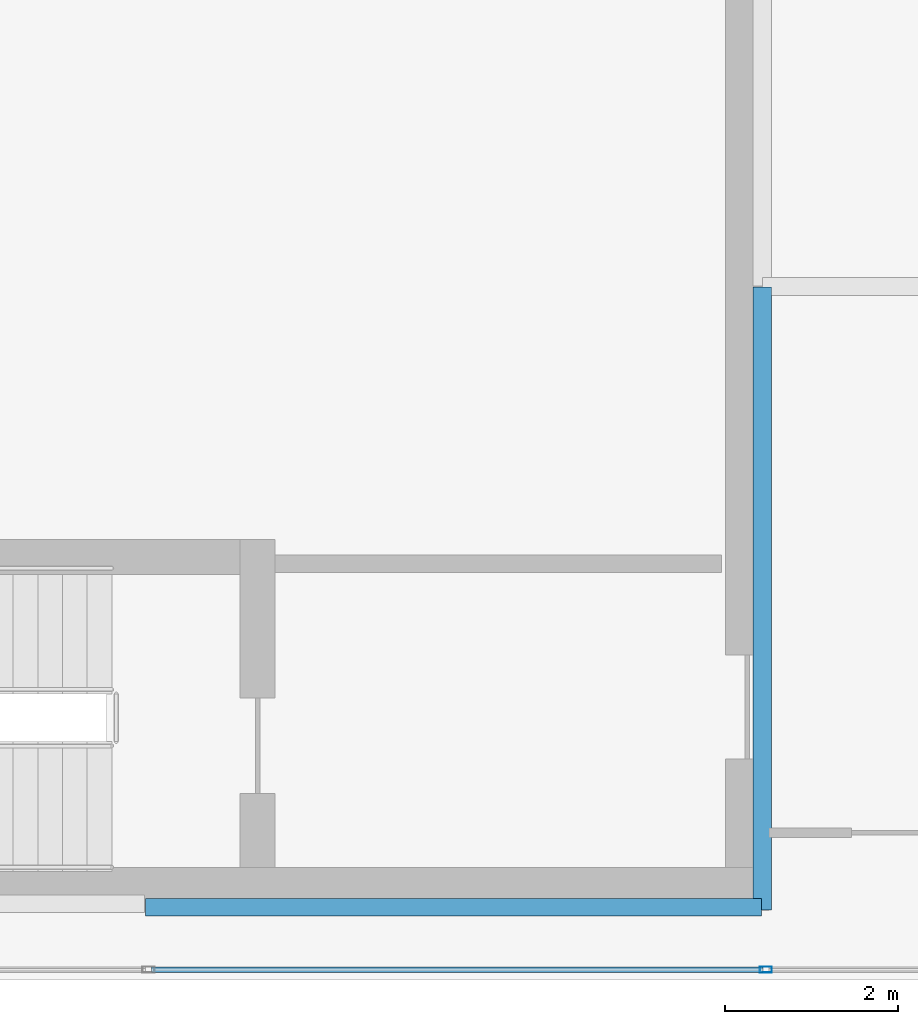
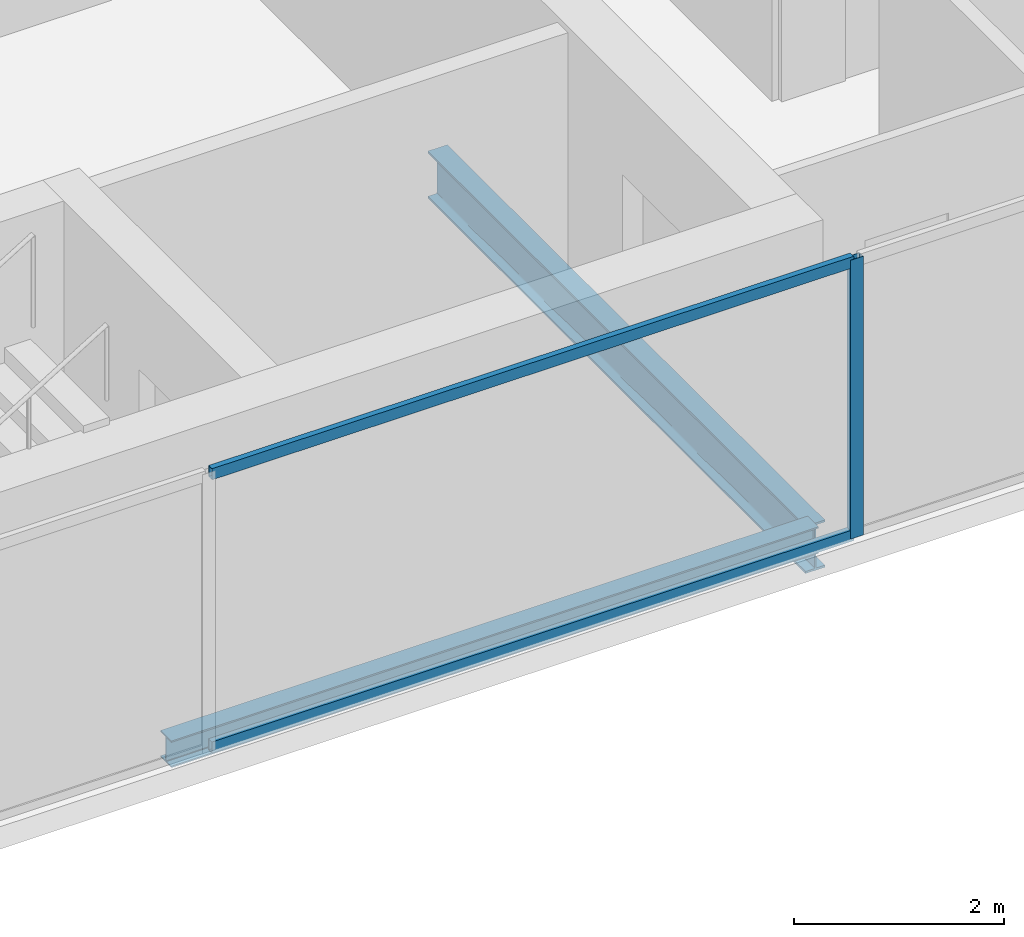
# One storey, part 3 of 23: 3 members, 2 beams, 1 element without a shape of its own.
"""IFC4 building model written with IfcOpenShell, lengths in metres."""

from ifc_helpers import new_model, si_unit, direction, frame, origin, origin_2d, place, context, subcontext, project, spatial, hollow_rectangle, i_section, extrude, material, material_profile, profile_set, type_object, element, aggregate, save


model = new_model("IFC4")

# Units and contexts
model_context = context("Model", 3, precision=1e-05, world=origin(), true_north=direction((0.0, 1.0)))
body_context = subcontext(model_context, "Body", "Model", "MODEL_VIEW")
ifc_project = project(units=[si_unit("LENGTHUNIT", "METRE"), si_unit("AREAUNIT", "SQUARE_METRE"), si_unit("VOLUMEUNIT", "CUBIC_METRE"), si_unit("PLANEANGLEUNIT", "RADIAN"), si_unit("MASSUNIT", "GRAM", prefix="KILO")], contexts=[model_context])

# Site, building, storey
site_placement = place(None, origin())
site = spatial("IfcSite", under=ifc_project, at=site_placement, CompositionType="ELEMENT")
building_placement = place(site_placement, origin())
building = spatial("IfcBuilding", under=site, at=building_placement, Name="Cobrela Telecom Tower", CompositionType="ELEMENT")
storey_placement = place(building_placement, frame((0.0, 0.0, 272.64990234375)))
storey = spatial("IfcBuildingStorey", under=building, at=storey_placement, Name="L71", CompositionType="ELEMENT", Elevation=272.64990234375)

# Beams
ifc_material_1 = material(Name="Steel ASTM A992 Grade 50", Category="steel")
ifc_material_profile_1 = material_profile(ifc_material_1, i_section(OverallWidth=0.212890625, OverallDepth=0.549072265625, WebThickness=0.0146484375, FlangeThickness=0.023681640625, FilletRadius=0.013916015625, at=origin_2d()), Name="W21X93")
ifc_profile_set_1 = profile_set([ifc_material_profile_1], Name="Steel ASTM A992 Grade 50")
beam_type_1 = type_object("IfcBeamType", Name="BM-GIRD-08", PredefinedType="USERDEFINED", material=ifc_profile_set_1)
beam_1_placement = place(storey_placement, frame((14.320068359375, 7.205078125, -0.534423828125), z_axis=(0.0, 1.0, 0.0), x_axis=(-1.0, 0.0, 0.0)))
element("IfcBeam", 1, at=beam_1_placement, inside=storey, type_object=beam_type_1, Name="L71 Primary Girder Y21", ObjectType="GIRDER", PredefinedType="USERDEFINED", context=body_context, shape_type="SweptSolid", body=[
    extrude(i_section(OverallWidth=0.212890625, OverallDepth=0.549072265625, WebThickness=0.0146484375, FlangeThickness=0.023681640625, FilletRadius=0.013916015625, at=origin_2d()), origin(), (0.0, 0.0, 1.0), 7.18994140625),
])
ifc_material_profile_2 = material_profile(ifc_material_1, i_section(OverallWidth=0.205078125, OverallDepth=0.31005859375, WebThickness=0.009521484375, FlangeThickness=0.016357421875, FilletRadius=0.010986328125, at=origin_2d()), Name="W12X50")
ifc_profile_set_2 = profile_set([ifc_material_profile_2], Name="Steel ASTM A992 Grade 50")
beam_type_2 = type_object("IfcBeamType", Name="BM-SPAND-07", PredefinedType="SPANDREL", material=ifc_profile_set_2)
beam_2_placement = place(storey_placement, frame((7.205078125, 7.239990234375, -0.414794921875), z_axis=(1.0, 0.0, 0.0), x_axis=(0.0, 1.0, 0.0)))
element("IfcBeam", 2, at=beam_2_placement, inside=storey, type_object=beam_type_2, Name="L71 Perimeter Spandrel X02", PredefinedType="SPANDREL", context=body_context, shape_type="SweptSolid", body=[
    extrude(i_section(OverallWidth=0.205078125, OverallDepth=0.31005859375, WebThickness=0.009521484375, FlangeThickness=0.016357421875, FilletRadius=0.010986328125, at=origin_2d()), origin(), (0.0, 0.0, 1.0), 7.10986328125),
])

# Curtain wall, members
ifc_material_2 = material(Name="Anodized Bronze Aluminium 6063-T6", Category="aluminium")
curtain_wall_type = type_object("IfcCurtainWallType", Name="CW-SYS-OFF-HI", PredefinedType="USERDEFINED", material=ifc_material_2)
curtain_wall_placement = place(storey_placement, origin())
curtain_wall = element("IfcCurtainWall", 3, at=curtain_wall_placement, inside=storey, type_object=curtain_wall_type, Name="L71 Unitised Bronze Curtain Wall 15", ObjectType="UNITISED CURTAIN WALL", PredefinedType="USERDEFINED")
ifc_material_profile_3 = material_profile(ifc_material_2, hollow_rectangle(XDim=0.070068359375, YDim=0.139892578125, WallThickness=0.00390625, at=origin_2d()), Name="ALU 70x140x4")
ifc_profile_set_3 = profile_set([ifc_material_profile_3], Name="Anodized Bronze Aluminium 6063-T6")
member_type_1 = type_object("IfcMemberType", Name="CW-SYS-OFF-HI-MUL", PredefinedType="MULLION", material=ifc_profile_set_3)
member_1_placement = place(storey_placement, frame((14.36328125, 6.52001953125, 0.0), z_axis=(0.0, 0.0, 1.0), x_axis=(0.0, -1.0, 0.0)))
member_1 = element("IfcMember", 4, at=member_1_placement, type_object=member_type_1, Name="CW-OFF-HI mullion 5", PredefinedType="MULLION", context=body_context, shape_type="SweptSolid", body=[
    extrude(hollow_rectangle(XDim=0.070068359375, YDim=0.139892578125, WallThickness=0.00390625, at=origin_2d()), origin(), (0.0, 0.0, 1.0), 3.239990234375),
])
ifc_material_profile_4 = material_profile(ifc_material_2, hollow_rectangle(XDim=0.06494140625, YDim=0.1298828125, WallThickness=0.00390625, at=origin_2d()), Name="ALU 65x130x4")
ifc_profile_set_4 = profile_set([ifc_material_profile_4], Name="Anodized Bronze Aluminium 6063-T6")
member_type_2 = type_object("IfcMemberType", Name="CW-SYS-OFF-HI-TRN", PredefinedType="USERDEFINED", material=ifc_profile_set_4)
member_2_placement = place(storey_placement, frame((14.328369140625, 6.52001953125, 0.03271484375), z_axis=(-1.0, 0.0, 0.0), x_axis=(0.0, -1.0, 0.0)))
member_2 = element("IfcMember", 5, at=member_2_placement, type_object=member_type_2, Name="CW-OFF-HI transom 5.1", ObjectType="TRANSOM", PredefinedType="USERDEFINED", context=body_context, shape_type="SweptSolid", body=[
    extrude(hollow_rectangle(XDim=0.06494140625, YDim=0.1298828125, WallThickness=0.00390625, at=origin_2d()), origin(), (0.0, 0.0, 1.0), 7.0517578125),
])
member_3_placement = place(storey_placement, frame((14.328369140625, 6.52001953125, 3.20751953125), z_axis=(-1.0, 0.0, 0.0), x_axis=(0.0, -1.0, 0.0)))
member_3 = element("IfcMember", 6, at=member_3_placement, type_object=member_type_2, Name="CW-OFF-HI transom 5.2", ObjectType="TRANSOM", PredefinedType="USERDEFINED", context=body_context, shape_type="SweptSolid", body=[
    extrude(hollow_rectangle(XDim=0.06494140625, YDim=0.1298828125, WallThickness=0.00390625, at=origin_2d()), origin(), (0.0, 0.0, 1.0), 7.0517578125),
])
aggregate(curtain_wall, [member_1, member_2, member_3])

save(model, "model.ifc")
